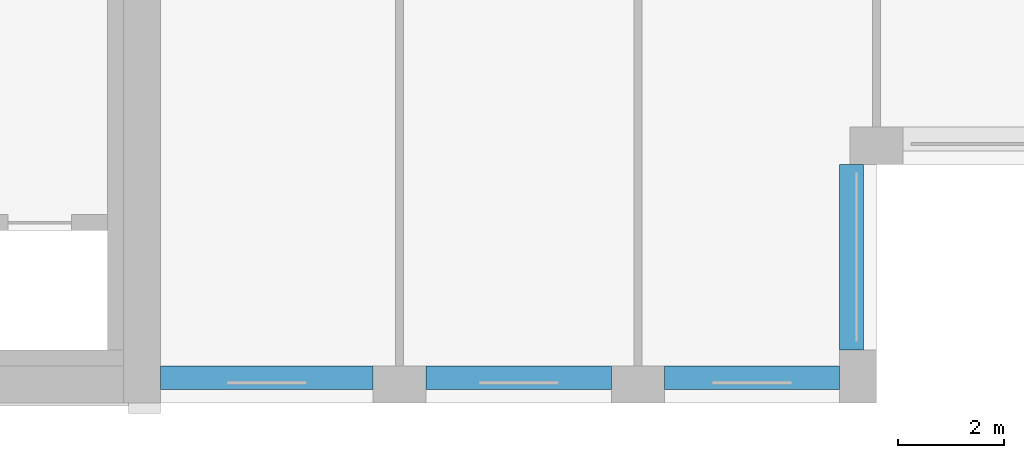
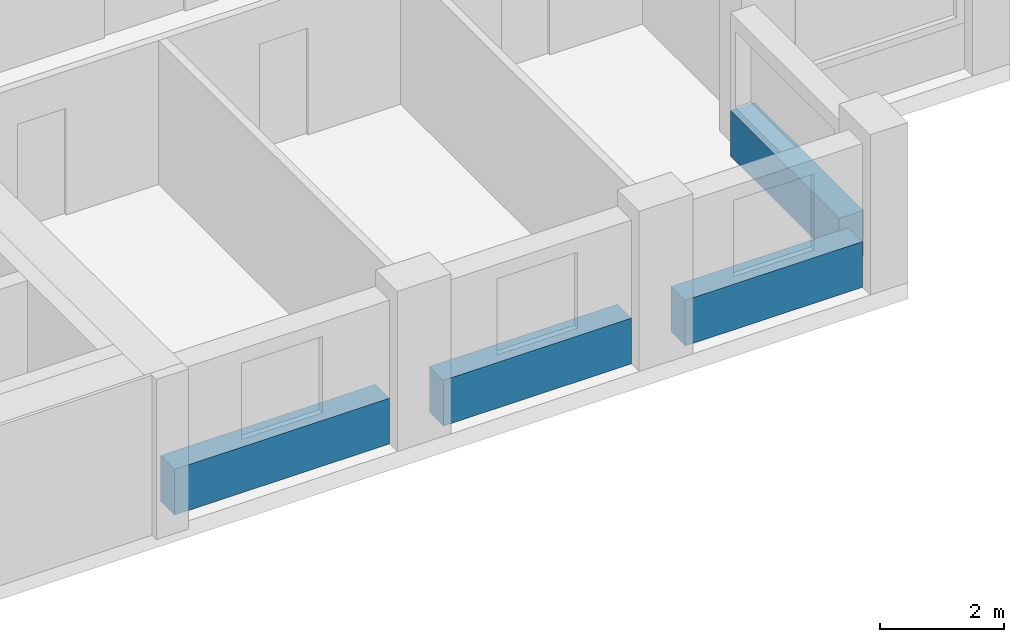
# One storey, part 3 of 16: 4 beams.
"""IFC4 building model written with IfcOpenShell, lengths in metres."""

from ifc_helpers import new_model, si_unit, direction, frame, origin, origin_2d, place, context, subcontext, project, spatial, rectangle, extrude, material, material_profile, profile_set, type_object, element, save


model = new_model("IFC4")

# Units and contexts
model_context = context("Model", 3, precision=1e-05, world=origin(), true_north=direction((0.0, 1.0)))
body_context = subcontext(model_context, "Body", "Model", "MODEL_VIEW")
ifc_project = project(units=[si_unit("LENGTHUNIT", "METRE"), si_unit("AREAUNIT", "SQUARE_METRE"), si_unit("VOLUMEUNIT", "CUBIC_METRE"), si_unit("PLANEANGLEUNIT", "RADIAN"), si_unit("MASSUNIT", "GRAM", prefix="KILO")], contexts=[model_context])

# Site, building, storey
site_placement = place(None, origin())
site = spatial("IfcSite", under=ifc_project, at=site_placement, CompositionType="ELEMENT")
building_placement = place(site_placement, origin())
building = spatial("IfcBuilding", under=site, at=building_placement, Name="Brigalow Station Residences", CompositionType="ELEMENT")
storey_placement = place(building_placement, frame((0.0, 0.0, 166.5)))
storey = spatial("IfcBuildingStorey", under=building, at=storey_placement, Name="L48", CompositionType="ELEMENT", Elevation=166.5)

# Beams
ifc_material = material(Name="Concrete C50", Category="concrete")
ifc_material_profile = material_profile(ifc_material, rectangle(XDim=0.449951171875, YDim=0.89990234375, at=origin_2d()), Name="RC450x900")
ifc_profile_set = profile_set([ifc_material_profile], Name="Concrete C50")
beam_type = type_object("IfcBeamType", Name="SPANDREL BEAM 450x900 C50", PredefinedType="SPANDREL", material=ifc_profile_set)
beam_1_placement = place(storey_placement, frame((54.0, 0.47509765625, 0.449951171875), z_axis=(1.0, 0.0, 0.0), x_axis=(0.0, 1.0, 0.0)))
element("IfcBeam", 1, at=beam_1_placement, inside=storey, type_object=beam_type, Name="L48/spandrel/W-L48-4", PredefinedType="SPANDREL", context=body_context, shape_type="SweptSolid", body=[
    extrude(rectangle(XDim=0.449951171875, YDim=0.89990234375, at=origin_2d()), origin(), (0.0, 0.0, 1.0), 4.0),
])
beam_2_placement = place(storey_placement, frame((59.0, 0.47509765625, 0.449951171875), z_axis=(1.0, 0.0, 0.0), x_axis=(0.0, 1.0, 0.0)))
element("IfcBeam", 2, at=beam_2_placement, inside=storey, type_object=beam_type, Name="L48/spandrel/W-L48-5", PredefinedType="SPANDREL", context=body_context, shape_type="SweptSolid", body=[
    extrude(rectangle(XDim=0.449951171875, YDim=0.89990234375, at=origin_2d()), origin(), (0.0, 0.0, 1.0), 3.5),
])
beam_3_placement = place(storey_placement, frame((63.5, 0.47509765625, 0.449951171875), z_axis=(1.0, 0.0, 0.0), x_axis=(0.0, 1.0, 0.0)))
element("IfcBeam", 3, at=beam_3_placement, inside=storey, type_object=beam_type, Name="L48/spandrel/W-L48-6", PredefinedType="SPANDREL", context=body_context, shape_type="SweptSolid", body=[
    extrude(rectangle(XDim=0.449951171875, YDim=0.89990234375, at=origin_2d()), origin(), (0.0, 0.0, 1.0), 3.300048828125),
])
beam_4_placement = place(storey_placement, frame((67.02490234375, 1.0, 0.449951171875), z_axis=(0.0, 1.0, 0.0), x_axis=(-1.0, 0.0, 0.0)))
element("IfcBeam", 4, at=beam_4_placement, inside=storey, type_object=beam_type, Name="L48/spandrel/W-L48-7", PredefinedType="SPANDREL", context=body_context, shape_type="SweptSolid", body=[
    extrude(rectangle(XDim=0.449951171875, YDim=0.89990234375, at=origin_2d()), origin(), (0.0, 0.0, 1.0), 3.5),
])

save(model, "model.ifc")
